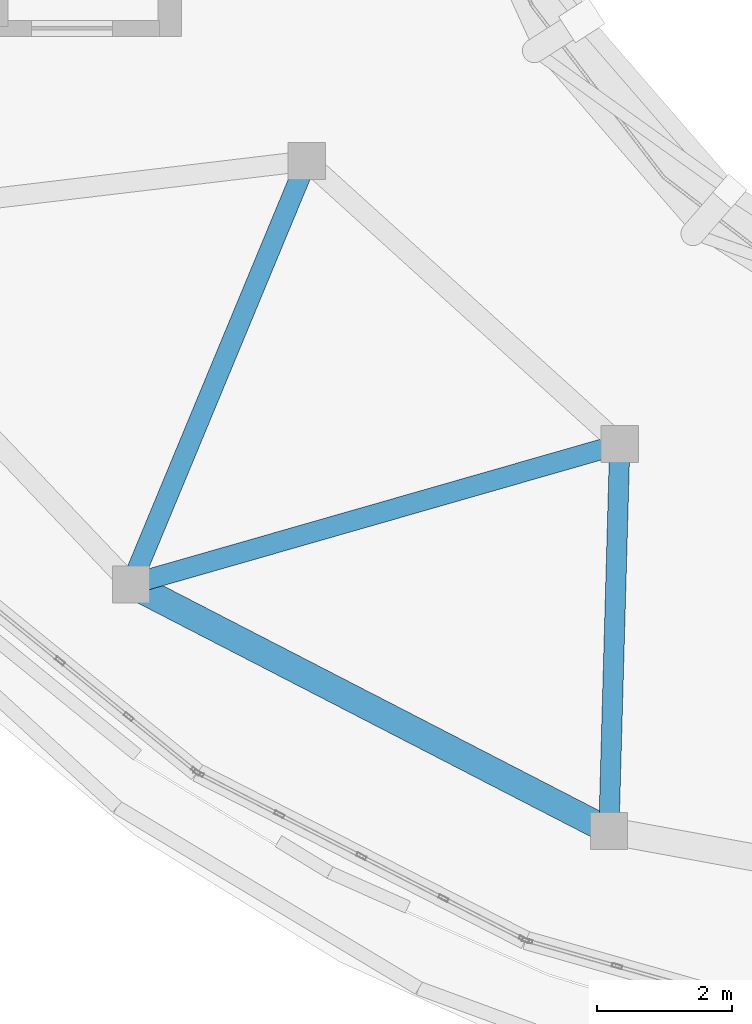
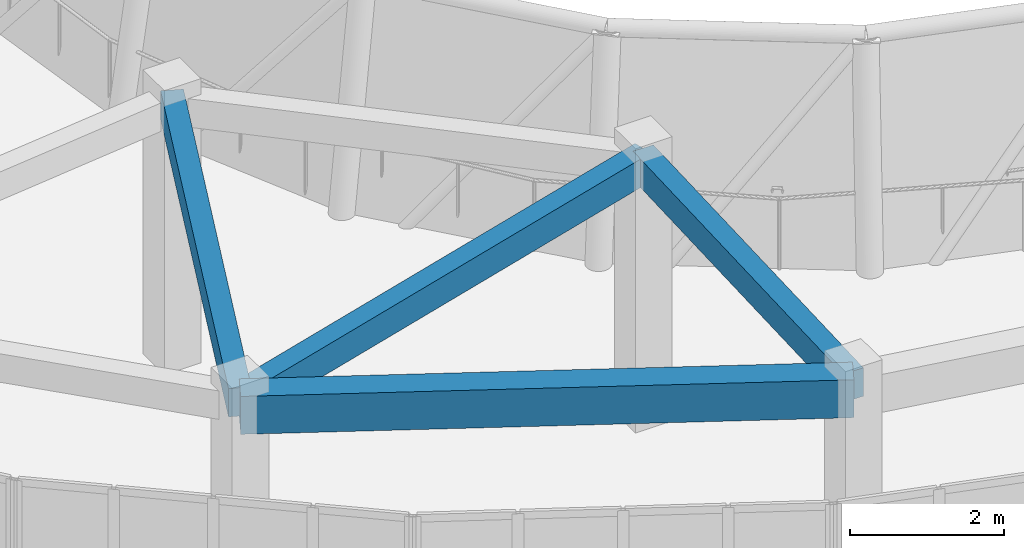
# One storey, part 5 of 46: 4 beams.
"""IFC4 building model written with IfcOpenShell, lengths in metres."""

from ifc_helpers import new_model, si_unit, direction, frame, origin, origin_2d, place, context, subcontext, project, spatial, rectangle, extrude, material, material_profile, profile_set, type_object, element, save


model = new_model("IFC4")

# Units and contexts
model_context = context("Model", 3, precision=1e-05, world=origin(), true_north=direction((0.0, 1.0)))
body_context = subcontext(model_context, "Body", "Model", "MODEL_VIEW")
ifc_project = project(units=[si_unit("LENGTHUNIT", "METRE"), si_unit("AREAUNIT", "SQUARE_METRE"), si_unit("VOLUMEUNIT", "CUBIC_METRE"), si_unit("PLANEANGLEUNIT", "RADIAN"), si_unit("MASSUNIT", "GRAM", prefix="KILO")], contexts=[model_context])

# Site, building, storey
site_placement = place(None, origin())
site = spatial("IfcSite", under=ifc_project, at=site_placement, CompositionType="ELEMENT")
building_placement = place(site_placement, origin())
building = spatial("IfcBuilding", under=site, at=building_placement, Name="Pelvatis Terrace Science Centre", CompositionType="ELEMENT")
storey_placement = place(building_placement, frame((0.0, 0.0, 19.800048828125)))
storey = spatial("IfcBuildingStorey", under=building, at=storey_placement, Name="L04", CompositionType="ELEMENT", Elevation=19.800048828125)

# Beams
ifc_material_1 = material(Name="Concrete C35/45", Category="concrete")
ifc_material_profile_1 = material_profile(ifc_material_1, rectangle(XDim=0.300048828125, YDim=0.449951171875, at=origin_2d()), Name="RC-BM 300x450")
ifc_profile_set_1 = profile_set([ifc_material_profile_1], Name="Concrete C35/45")
beam_type_1 = type_object("IfcBeamType", Name="BM-RC-300x450", PredefinedType="BEAM", material=ifc_profile_set_1)
beam_1_placement = place(storey_placement, frame((92.62744140625, 71.0849609375, 4.02490234375), z_axis=(0.383504415053, 0.923539042832, 0.0), x_axis=(-0.923539042832, 0.383504415053, 0.0)))
element("IfcBeam", 1, at=beam_1_placement, inside=storey, type_object=beam_type_1, Name="Beam BM-L04-3092", PredefinedType="BEAM", context=body_context, shape_type="SweptSolid", body=[
    extrude(rectangle(XDim=0.300048828125, YDim=0.449951171875, at=origin_2d()), origin(), (0.0, 0.0, 1.0), 6.789306640625),
])
beam_2_placement = place(storey_placement, frame((92.62744140625, 71.0849609375, 4.02490234375), z_axis=(0.961229800433, 0.275748564382, 0.0), x_axis=(-0.275748564382, 0.961229800433, 0.0)))
element("IfcBeam", 2, at=beam_2_placement, inside=storey, type_object=beam_type_1, Name="Beam BM-L04-3093", PredefinedType="BEAM", context=body_context, shape_type="SweptSolid", body=[
    extrude(rectangle(XDim=0.300048828125, YDim=0.449951171875, at=origin_2d()), origin(), (0.0, 0.0, 1.0), 7.531005859375),
])
beam_3_placement = place(storey_placement, frame((99.705078125, 67.434326171875, 4.02490234375), z_axis=(0.028165640532, 0.999603269649, 0.0), x_axis=(-0.999603269649, 0.028165640532, 0.0)))
element("IfcBeam", 3, at=beam_3_placement, inside=storey, type_object=beam_type_1, Name="Beam BM-L04-3095", PredefinedType="BEAM", context=body_context, shape_type="SweptSolid", body=[
    extrude(rectangle(XDim=0.300048828125, YDim=0.449951171875, at=origin_2d()), origin(), (0.0, 0.0, 1.0), 5.7294921875),
])
ifc_material_2 = material(Name="Concrete C35/45", Category="concrete")
ifc_material_profile_2 = material_profile(ifc_material_2, rectangle(XDim=0.39990234375, YDim=0.60009765625, at=origin_2d()), Name="RC-BM 400x600")
ifc_profile_set_2 = profile_set([ifc_material_profile_2], Name="Concrete C35/45")
beam_type_2 = type_object("IfcBeamType", Name="BM-RC-400x600", PredefinedType="BEAM", material=ifc_profile_set_2)
beam_4_placement = place(storey_placement, frame((92.62744140625, 71.0849609375, 3.949951171875), z_axis=(0.888740331854, -0.458410975585, 0.0), x_axis=(0.458410975585, 0.888740331854, 0.0)))
element("IfcBeam", 4, at=beam_4_placement, inside=storey, type_object=beam_type_2, Name="Beam BM-L04-3091", PredefinedType="BEAM", context=body_context, shape_type="SweptSolid", body=[
    extrude(rectangle(XDim=0.39990234375, YDim=0.60009765625, at=origin_2d()), origin(), (0.0, 0.0, 1.0), 7.963623046875),
])

save(model, "model.ifc")
